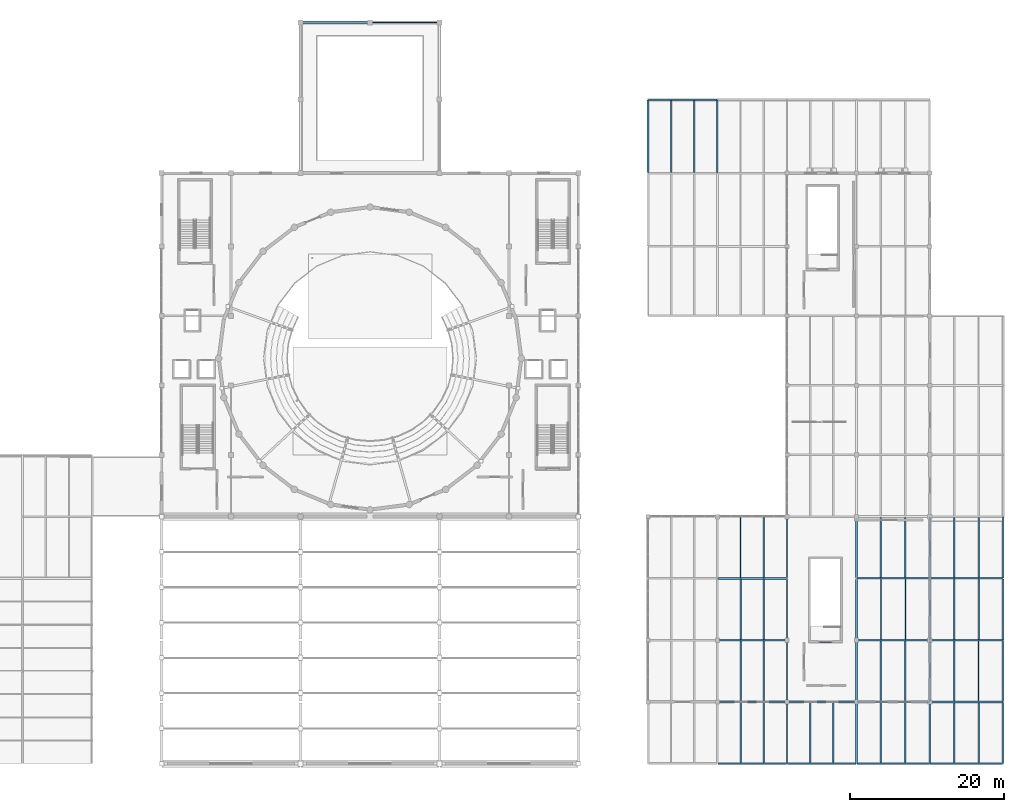
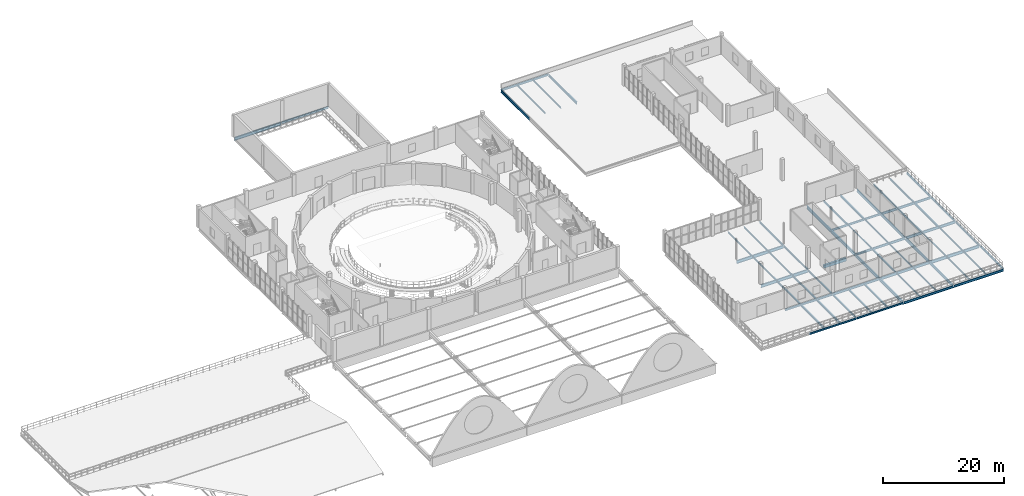
# One storey, part 27 of 54: 64 beams.
"""IFC4 building model written with IfcOpenShell, lengths in metres."""

from ifc_helpers import new_model, si_unit, direction, frame, origin, origin_2d, place, context, subcontext, project, spatial, rectangle, i_section, extrude, material, material_profile, profile_set, type_object, element, save


model = new_model("IFC4")

# Units and contexts
model_context = context("Model", 3, precision=1e-05, world=origin(), true_north=direction((0.0, 1.0)))
body_context = subcontext(model_context, "Body", "Model", "MODEL_VIEW")
ifc_project = project(units=[si_unit("LENGTHUNIT", "METRE"), si_unit("AREAUNIT", "SQUARE_METRE"), si_unit("VOLUMEUNIT", "CUBIC_METRE"), si_unit("PLANEANGLEUNIT", "RADIAN"), si_unit("MASSUNIT", "GRAM", prefix="KILO")], contexts=[model_context])

# Site, building, storey
site_placement = place(None, origin())
site = spatial("IfcSite", under=ifc_project, at=site_placement, CompositionType="ELEMENT")
building_placement = place(site_placement, origin())
building = spatial("IfcBuilding", under=site, at=building_placement, Name="Marnock Terrace Opera House", CompositionType="ELEMENT")
storey_placement = place(building_placement, frame((0.0, 0.0, 19.199951171875)))
storey = spatial("IfcBuildingStorey", under=building, at=storey_placement, Name="L04", CompositionType="ELEMENT", Elevation=19.199951171875)

# Beams
ifc_material_1 = material(Name="Steel Grade 350 (AS/NZS 3679.1)", Category="steel")
ifc_material_profile_1 = material_profile(ifc_material_1, i_section(OverallWidth=0.1708984375, OverallDepth=0.355712890625, WebThickness=0.00732421875, FlangeThickness=0.011474609375, FilletRadius=0.011474609375, at=origin_2d()))
ifc_profile_set_1 = profile_set([ifc_material_profile_1], Name="Steel Grade 350 (AS/NZS 3679.1)")
beam_type_1 = type_object("IfcBeamType", Name="BM-GIRD-360", PredefinedType="BEAM", material=ifc_profile_set_1)
for number, where, z_axis, x_axis, name in (
    (1, (136.0, 8.050048828125, -0.44775390625), (0.0, 1.0, 0.0), (-1.0, 0.0, 0.0), "L04 girder (X=136.0, 8.0..16.0)"),
    (2, (136.0, 16.050048828125, -0.44775390625), (0.0, 1.0, 0.0), (-1.0, 0.0, 0.0), "L04 girder (X=136.0, 16.0..24.0)"),
    (3, (136.0, 24.050048828125, -0.427734375), (0.0, 1.0, 0.0), (-1.0, 0.0, 0.0), "L04 girder (X=136.0, 24.0..32.0)"),
    (4, (136.0, 32.050048828125, -0.427734375), (0.0, 1.0, 0.0), (-1.0, 0.0, 0.0), "L04 girder (X=136.0, 32.0..40.0)"),
):
    element("IfcBeam", number, at=place(storey_placement, frame(where, z_axis=z_axis, x_axis=x_axis)), inside=storey, type_object=beam_type_1, Name=name, PredefinedType="BEAM", context=body_context, shape_type="SweptSolid", body=[
        extrude(i_section(OverallWidth=0.1708984375, OverallDepth=0.355712890625, WebThickness=0.00732421875, FlangeThickness=0.011474609375, FilletRadius=0.011474609375, at=origin_2d()), origin(), (0.0, 0.0, 1.0), 7.89990234375),
    ])
ifc_material_profile_2 = material_profile(ifc_material_1, i_section(OverallWidth=0.177978515625, OverallDepth=0.402587890625, WebThickness=0.007568359375, FlangeThickness=0.010986328125, FilletRadius=0.011474609375, at=origin_2d()))
ifc_profile_set_2 = profile_set([ifc_material_profile_2], Name="Steel Grade 350 (AS/NZS 3679.1)")
beam_type_2 = type_object("IfcBeamType", Name="BM-GIRD-410", PredefinedType="BEAM", material=ifc_profile_set_2)
beam_1_placement = place(storey_placement, frame((127.050048828125, 16.0, -0.47119140625), z_axis=(1.0, 0.0, 0.0), x_axis=(0.0, 1.0, 0.0)))
element("IfcBeam", 5, at=beam_1_placement, inside=storey, type_object=beam_type_2, Name="L04 girder (127.0..136.0, Y=16.0)", PredefinedType="BEAM", context=body_context, shape_type="SweptSolid", body=[
    extrude(i_section(OverallWidth=0.177978515625, OverallDepth=0.402587890625, WebThickness=0.007568359375, FlangeThickness=0.010986328125, FilletRadius=0.011474609375, at=origin_2d()), origin(), (0.0, 0.0, 1.0), 8.89990234375),
])
beam_2_placement = place(storey_placement, frame((145.050048828125, 32.0, -0.47119140625), z_axis=(1.0, 0.0, 0.0), x_axis=(0.0, 1.0, 0.0)))
element("IfcBeam", 6, at=beam_2_placement, inside=storey, type_object=beam_type_2, Name="L04 girder (145.0..154.5, Y=32.0)", PredefinedType="BEAM", context=body_context, shape_type="SweptSolid", body=[
    extrude(i_section(OverallWidth=0.177978515625, OverallDepth=0.402587890625, WebThickness=0.007568359375, FlangeThickness=0.010986328125, FilletRadius=0.011474609375, at=origin_2d()), origin(), (0.0, 0.0, 1.0), 9.39990234375),
])
for number, where, z_axis, x_axis, name in (
    (7, (118.050048828125, 94.0, -0.421142578125), (1.0, 0.0, 0.0), (0.0, 1.0, 0.0), "L04 girder (118.0..127.0, Y=94.0)"),
    (8, (82.050048828125, 104.0, -0.451171875), (1.0, 0.0, 0.0), (0.0, 1.0, 0.0), "L04 girder (82.0..91.0, Y=104.0)"),
):
    element("IfcBeam", number, at=place(storey_placement, frame(where, z_axis=z_axis, x_axis=x_axis)), inside=storey, type_object=beam_type_2, Name=name, PredefinedType="BEAM", context=body_context, shape_type="SweptSolid", body=[
        extrude(i_section(OverallWidth=0.177978515625, OverallDepth=0.402587890625, WebThickness=0.007568359375, FlangeThickness=0.010986328125, FilletRadius=0.011474609375, at=origin_2d()), origin(), (0.0, 0.0, 1.0), 8.89990234375),
    ])
ifc_material_profile_3 = material_profile(ifc_material_1, i_section(OverallWidth=0.19091796875, OverallDepth=0.46044921875, WebThickness=0.010009765625, FlangeThickness=0.01611328125, FilletRadius=0.011474609375, at=origin_2d()))
ifc_profile_set_3 = profile_set([ifc_material_profile_3], Name="Steel Grade 350 (AS/NZS 3679.1)")
beam_type_3 = type_object("IfcBeamType", Name="BM-GIRD-460A", PredefinedType="BEAM", material=ifc_profile_set_3)
beam_3_placement = place(storey_placement, frame((136.050048828125, 16.0, -0.500244140625), z_axis=(1.0, 0.0, 0.0), x_axis=(0.0, 1.0, 0.0)))
element("IfcBeam", 9, at=beam_3_placement, inside=storey, type_object=beam_type_3, Name="L04 girder (136.0..145.0, Y=16.0)", PredefinedType="BEAM", context=body_context, shape_type="SweptSolid", body=[
    extrude(i_section(OverallWidth=0.19091796875, OverallDepth=0.46044921875, WebThickness=0.010009765625, FlangeThickness=0.01611328125, FilletRadius=0.011474609375, at=origin_2d()), origin(), (0.0, 0.0, 1.0), 8.89990234375),
])
for number, where, z_axis, x_axis, name in (
    (10, (145.050048828125, 24.0, -0.500244140625), (1.0, 0.0, 0.0), (0.0, 1.0, 0.0), "L04 girder (145.0..154.5, Y=24.0)"),
    (11, (154.550048828125, 32.0, -0.500244140625), (1.0, 0.0, 0.0), (0.0, 1.0, 0.0), "L04 girder (154.5..164.0, Y=32.0)"),
):
    element("IfcBeam", number, at=place(storey_placement, frame(where, z_axis=z_axis, x_axis=x_axis)), inside=storey, type_object=beam_type_3, Name=name, PredefinedType="BEAM", context=body_context, shape_type="SweptSolid", body=[
        extrude(i_section(OverallWidth=0.19091796875, OverallDepth=0.46044921875, WebThickness=0.010009765625, FlangeThickness=0.01611328125, FilletRadius=0.011474609375, at=origin_2d()), origin(), (0.0, 0.0, 1.0), 9.39990234375),
    ])
ifc_material_profile_4 = material_profile(ifc_material_1, i_section(OverallWidth=0.18994140625, OverallDepth=0.45751953125, WebThickness=0.009033203125, FlangeThickness=0.014404296875, FilletRadius=0.011474609375, at=origin_2d()))
ifc_profile_set_4 = profile_set([ifc_material_profile_4], Name="Steel Grade 350 (AS/NZS 3679.1)")
beam_type_4 = type_object("IfcBeamType", Name="BM-GIRD-460B", PredefinedType="BEAM", material=ifc_profile_set_4)
beam_4_placement = place(storey_placement, frame((127.0, 84.550048828125, -0.44873046875), z_axis=(0.0, 1.0, 0.0), x_axis=(-1.0, 0.0, 0.0)))
element("IfcBeam", 12, at=beam_4_placement, inside=storey, type_object=beam_type_4, Name="L04 girder (X=127.0, 84.5..94.0)", PredefinedType="BEAM", context=body_context, shape_type="SweptSolid", body=[
    extrude(i_section(OverallWidth=0.18994140625, OverallDepth=0.45751953125, WebThickness=0.009033203125, FlangeThickness=0.014404296875, FilletRadius=0.011474609375, at=origin_2d()), origin(), (0.0, 0.0, 1.0), 9.39990234375),
])
ifc_material_profile_5 = material_profile(ifc_material_1, i_section(OverallWidth=0.208984375, OverallDepth=0.532958984375, WebThickness=0.01025390625, FlangeThickness=0.015625, FilletRadius=0.013916015625, at=origin_2d()))
ifc_profile_set_5 = profile_set([ifc_material_profile_5], Name="Steel Grade 350 (AS/NZS 3679.1)")
beam_type_5 = type_object("IfcBeamType", Name="BM-GIRD-530A", PredefinedType="BEAM", material=ifc_profile_set_5)
for number, where, z_axis, x_axis, name in (
    (13, (145.050048828125, 16.0, -0.536376953125), (1.0, 0.0, 0.0), (0.0, 1.0, 0.0), "L04 girder (145.0..154.5, Y=16.0)"),
    (14, (154.550048828125, 24.0, -0.536376953125), (1.0, 0.0, 0.0), (0.0, 1.0, 0.0), "L04 girder (154.5..164.0, Y=24.0)"),
):
    element("IfcBeam", number, at=place(storey_placement, frame(where, z_axis=z_axis, x_axis=x_axis)), inside=storey, type_object=beam_type_5, Name=name, PredefinedType="BEAM", context=body_context, shape_type="SweptSolid", body=[
        extrude(i_section(OverallWidth=0.208984375, OverallDepth=0.532958984375, WebThickness=0.01025390625, FlangeThickness=0.015625, FilletRadius=0.013916015625, at=origin_2d()), origin(), (0.0, 0.0, 1.0), 9.39990234375),
    ])
ifc_material_profile_6 = material_profile(ifc_material_1, i_section(OverallWidth=0.208984375, OverallDepth=0.528076171875, WebThickness=0.009521484375, FlangeThickness=0.01318359375, FilletRadius=0.013916015625, at=origin_2d()))
ifc_profile_set_6 = profile_set([ifc_material_profile_6], Name="Steel Grade 350 (AS/NZS 3679.1)")
beam_type_6 = type_object("IfcBeamType", Name="BM-GIRD-530B", PredefinedType="BEAM", material=ifc_profile_set_6)
beam_5_placement = place(storey_placement, frame((118.0, 84.550048828125, -0.48388671875), z_axis=(0.0, 1.0, 0.0), x_axis=(-1.0, 0.0, 0.0)))
element("IfcBeam", 15, at=beam_5_placement, inside=storey, type_object=beam_type_6, Name="L04 girder (X=118.0, 84.5..94.0)", PredefinedType="BEAM", context=body_context, shape_type="SweptSolid", body=[
    extrude(i_section(OverallWidth=0.208984375, OverallDepth=0.528076171875, WebThickness=0.009521484375, FlangeThickness=0.01318359375, FilletRadius=0.013916015625, at=origin_2d()), origin(), (0.0, 0.0, 1.0), 9.39990234375),
])
for number, where, z_axis, x_axis, name in (
    (16, (154.5, 8.050048828125, -0.533935546875), (0.0, 1.0, 0.0), (-1.0, 0.0, 0.0), "L04 girder (X=154.5, 8.0..16.0)"),
    (17, (154.5, 16.050048828125, -0.533935546875), (0.0, 1.0, 0.0), (-1.0, 0.0, 0.0), "L04 girder (X=154.5, 16.0..24.0)"),
    (18, (154.5, 24.050048828125, -0.533935546875), (0.0, 1.0, 0.0), (-1.0, 0.0, 0.0), "L04 girder (X=154.5, 24.0..32.0)"),
    (19, (154.5, 32.050048828125, -0.533935546875), (0.0, 1.0, 0.0), (-1.0, 0.0, 0.0), "L04 girder (X=154.5, 32.0..40.0)"),
):
    element("IfcBeam", number, at=place(storey_placement, frame(where, z_axis=z_axis, x_axis=x_axis)), inside=storey, type_object=beam_type_6, Name=name, PredefinedType="BEAM", context=body_context, shape_type="SweptSolid", body=[
        extrude(i_section(OverallWidth=0.208984375, OverallDepth=0.528076171875, WebThickness=0.009521484375, FlangeThickness=0.01318359375, FilletRadius=0.013916015625, at=origin_2d()), origin(), (0.0, 0.0, 1.0), 7.89990234375),
    ])
ifc_material_profile_7 = material_profile(ifc_material_1, i_section(OverallWidth=0.22900390625, OverallDepth=0.611572265625, WebThickness=0.011962890625, FlangeThickness=0.01953125, FilletRadius=0.013916015625, at=origin_2d()))
ifc_profile_set_7 = profile_set([ifc_material_profile_7], Name="Steel Grade 350 (AS/NZS 3679.1)")
beam_type_7 = type_object("IfcBeamType", Name="BM-GIRD-610A", PredefinedType="BEAM", material=ifc_profile_set_7)
for number, where, z_axis, x_axis, name in (
    (20, (127.050048828125, 24.0, -0.5556640625), (1.0, 0.0, 0.0), (0.0, 1.0, 0.0), "L04 girder (127.0..136.0, Y=24.0)"),
    (21, (73.050048828125, 104.0, -0.5556640625), (1.0, 0.0, 0.0), (0.0, 1.0, 0.0), "L04 girder (73.0..82.0, Y=104.0)"),
):
    element("IfcBeam", number, at=place(storey_placement, frame(where, z_axis=z_axis, x_axis=x_axis)), inside=storey, type_object=beam_type_7, Name=name, PredefinedType="BEAM", context=body_context, shape_type="SweptSolid", body=[
        extrude(i_section(OverallWidth=0.22900390625, OverallDepth=0.611572265625, WebThickness=0.011962890625, FlangeThickness=0.01953125, FilletRadius=0.013916015625, at=origin_2d()), origin(), (0.0, 0.0, 1.0), 8.89990234375),
    ])
ifc_material_profile_8 = material_profile(ifc_material_1, i_section(OverallWidth=0.22802734375, OverallDepth=0.60693359375, WebThickness=0.01123046875, FlangeThickness=0.017333984375, FilletRadius=0.013916015625, at=origin_2d()))
ifc_profile_set_8 = profile_set([ifc_material_profile_8], Name="Steel Grade 350 (AS/NZS 3679.1)")
beam_type_8 = type_object("IfcBeamType", Name="BM-GIRD-610B", PredefinedType="BEAM", material=ifc_profile_set_8)
beam_6_placement = place(storey_placement, frame((154.550048828125, 16.0, -0.573486328125), z_axis=(1.0, 0.0, 0.0), x_axis=(0.0, 1.0, 0.0)))
element("IfcBeam", 22, at=beam_6_placement, inside=storey, type_object=beam_type_8, Name="L04 girder (154.5..164.0, Y=16.0)", PredefinedType="BEAM", context=body_context, shape_type="SweptSolid", body=[
    extrude(i_section(OverallWidth=0.22802734375, OverallDepth=0.60693359375, WebThickness=0.01123046875, FlangeThickness=0.017333984375, FilletRadius=0.013916015625, at=origin_2d()), origin(), (0.0, 0.0, 1.0), 9.39990234375),
])
beam_7_placement = place(storey_placement, frame((127.050048828125, 32.0, -0.553466796875), z_axis=(1.0, 0.0, 0.0), x_axis=(0.0, 1.0, 0.0)))
element("IfcBeam", 23, at=beam_7_placement, inside=storey, type_object=beam_type_8, Name="L04 girder (127.0..136.0, Y=32.0)", PredefinedType="BEAM", context=body_context, shape_type="SweptSolid", body=[
    extrude(i_section(OverallWidth=0.22802734375, OverallDepth=0.60693359375, WebThickness=0.01123046875, FlangeThickness=0.017333984375, FilletRadius=0.013916015625, at=origin_2d()), origin(), (0.0, 0.0, 1.0), 8.89990234375),
])
ifc_material_profile_9 = material_profile(ifc_material_1, i_section(OverallWidth=0.22802734375, OverallDepth=0.60205078125, WebThickness=0.010498046875, FlangeThickness=0.014892578125, FilletRadius=0.013916015625, at=origin_2d()))
ifc_profile_set_9 = profile_set([ifc_material_profile_9], Name="Steel Grade 350 (AS/NZS 3679.1)")
beam_type_9 = type_object("IfcBeamType", Name="BM-GIRD-610C", PredefinedType="BEAM", material=ifc_profile_set_9)
for number, where, z_axis, x_axis, name in (
    (24, (145.0, 8.050048828125, -0.571044921875), (0.0, 1.0, 0.0), (-1.0, 0.0, 0.0), "L04 girder (X=145.0, 8.0..16.0)"),
    (25, (145.0, 16.050048828125, -0.571044921875), (0.0, 1.0, 0.0), (-1.0, 0.0, 0.0), "L04 girder (X=145.0, 16.0..24.0)"),
    (26, (145.0, 24.050048828125, -0.551025390625), (0.0, 1.0, 0.0), (-1.0, 0.0, 0.0), "L04 girder (X=145.0, 24.0..32.0)"),
    (27, (145.0, 32.050048828125, -0.551025390625), (0.0, 1.0, 0.0), (-1.0, 0.0, 0.0), "L04 girder (X=145.0, 32.0..40.0)"),
):
    element("IfcBeam", number, at=place(storey_placement, frame(where, z_axis=z_axis, x_axis=x_axis)), inside=storey, type_object=beam_type_9, Name=name, PredefinedType="BEAM", context=body_context, shape_type="SweptSolid", body=[
        extrude(i_section(OverallWidth=0.22802734375, OverallDepth=0.60205078125, WebThickness=0.010498046875, FlangeThickness=0.014892578125, FilletRadius=0.013916015625, at=origin_2d()), origin(), (0.0, 0.0, 1.0), 7.89990234375),
    ])
ifc_material_profile_10 = material_profile(ifc_material_1, i_section(OverallWidth=0.14599609375, OverallDepth=0.256103515625, WebThickness=0.00634765625, FlangeThickness=0.010986328125, FilletRadius=0.0087890625, at=origin_2d()))
ifc_profile_set_10 = profile_set([ifc_material_profile_10], Name="Steel Grade 350 (AS/NZS 3679.1)")
beam_type_10 = type_object("IfcBeamType", Name="BM-JOIST-250", PredefinedType="JOIST", material=ifc_profile_set_10)
for number, where, z_axis, x_axis, name in (
    (28, (148.166748046875, 24.090576171875, -0.3779296875), (0.0, 1.0, 0.0), (-1.0, 0.0, 0.0), "L04 secondary joist 16.3.1"),
    (29, (151.333251953125, 24.090576171875, -0.3779296875), (0.0, 1.0, 0.0), (-1.0, 0.0, 0.0), "L04 secondary joist 16.3.2"),
):
    element("IfcBeam", number, at=place(storey_placement, frame(where, z_axis=z_axis, x_axis=x_axis)), inside=storey, type_object=beam_type_10, Name=name, PredefinedType="JOIST", context=body_context, shape_type="SweptSolid", body=[
        extrude(i_section(OverallWidth=0.14599609375, OverallDepth=0.256103515625, WebThickness=0.00634765625, FlangeThickness=0.010986328125, FilletRadius=0.0087890625, at=origin_2d()), origin(), (0.0, 0.0, 1.0), 7.825439453125),
    ])
for number, where, z_axis, x_axis, name in (
    (30, (157.666748046875, 16.10888671875, -0.39794921875), (0.0, 1.0, 0.0), (-1.0, 0.0, 0.0), "L04 secondary joist 17.2.1"),
    (31, (160.833251953125, 16.10888671875, -0.39794921875), (0.0, 1.0, 0.0), (-1.0, 0.0, 0.0), "L04 secondary joist 17.2.2"),
):
    element("IfcBeam", number, at=place(storey_placement, frame(where, z_axis=z_axis, x_axis=x_axis)), inside=storey, type_object=beam_type_10, Name=name, PredefinedType="JOIST", context=body_context, shape_type="SweptSolid", body=[
        extrude(i_section(OverallWidth=0.14599609375, OverallDepth=0.256103515625, WebThickness=0.00634765625, FlangeThickness=0.010986328125, FilletRadius=0.0087890625, at=origin_2d()), origin(), (0.0, 0.0, 1.0), 7.79150390625),
    ])
ifc_material_profile_11 = material_profile(ifc_material_1, i_section(OverallWidth=0.166015625, OverallDepth=0.30712890625, WebThickness=0.006591796875, FlangeThickness=0.01171875, FilletRadius=0.011474609375, at=origin_2d()))
ifc_profile_set_11 = profile_set([ifc_material_profile_11], Name="Steel Grade 350 (AS/NZS 3679.1)")
beam_type_11 = type_object("IfcBeamType", Name="BM-JOIST-310A", PredefinedType="JOIST", material=ifc_profile_set_11)
for number, where, z_axis, x_axis, name in (
    (32, (130.0, 24.109619140625, -0.403564453125), (0.0, 1.0, 0.0), (-1.0, 0.0, 0.0), "L04 secondary joist 14.3.1"),
    (33, (133.0, 24.109619140625, -0.403564453125), (0.0, 1.0, 0.0), (-1.0, 0.0, 0.0), "L04 secondary joist 14.3.2"),
):
    element("IfcBeam", number, at=place(storey_placement, frame(where, z_axis=z_axis, x_axis=x_axis)), inside=storey, type_object=beam_type_11, Name=name, PredefinedType="JOIST", context=body_context, shape_type="SweptSolid", body=[
        extrude(i_section(OverallWidth=0.166015625, OverallDepth=0.30712890625, WebThickness=0.006591796875, FlangeThickness=0.01171875, FilletRadius=0.011474609375, at=origin_2d()), origin(), (0.0, 0.0, 1.0), 7.781494140625),
    ])
for number, where, z_axis, x_axis, name in (
    (34, (148.166748046875, 8.090576171875, -0.423583984375), (0.0, 1.0, 0.0), (-1.0, 0.0, 0.0), "L04 secondary joist 16.1.1"),
    (35, (151.333251953125, 8.090576171875, -0.423583984375), (0.0, 1.0, 0.0), (-1.0, 0.0, 0.0), "L04 secondary joist 16.1.2"),
):
    element("IfcBeam", number, at=place(storey_placement, frame(where, z_axis=z_axis, x_axis=x_axis)), inside=storey, type_object=beam_type_11, Name=name, PredefinedType="JOIST", context=body_context, shape_type="SweptSolid", body=[
        extrude(i_section(OverallWidth=0.166015625, OverallDepth=0.30712890625, WebThickness=0.006591796875, FlangeThickness=0.01171875, FilletRadius=0.011474609375, at=origin_2d()), origin(), (0.0, 0.0, 1.0), 7.809814453125),
    ])
ifc_material_profile_12 = material_profile(ifc_material_1, i_section(OverallWidth=0.1650390625, OverallDepth=0.3037109375, WebThickness=0.006103515625, FlangeThickness=0.01025390625, FilletRadius=0.011474609375, at=origin_2d()))
ifc_profile_set_12 = profile_set([ifc_material_profile_12], Name="Steel Grade 350 (AS/NZS 3679.1)")
beam_type_12 = type_object("IfcBeamType", Name="BM-JOIST-310B", PredefinedType="JOIST", material=ifc_profile_set_12)
for number, where, z_axis, x_axis, name in (
    (36, (121.0, 84.590576171875, -0.371826171875), (0.0, 1.0, 0.0), (-1.0, 0.0, 0.0), "L04 secondary joist 13.10.1"),
    (37, (124.0, 84.590576171875, -0.371826171875), (0.0, 1.0, 0.0), (-1.0, 0.0, 0.0), "L04 secondary joist 13.10.2"),
):
    element("IfcBeam", number, at=place(storey_placement, frame(where, z_axis=z_axis, x_axis=x_axis)), inside=storey, type_object=beam_type_12, Name=name, PredefinedType="JOIST", context=body_context, shape_type="SweptSolid", body=[
        extrude(i_section(OverallWidth=0.1650390625, OverallDepth=0.3037109375, WebThickness=0.006103515625, FlangeThickness=0.01025390625, FilletRadius=0.011474609375, at=origin_2d()), origin(), (0.0, 0.0, 1.0), 9.325439453125),
    ])
for number, where, z_axis, x_axis, name in (
    (38, (130.0, 32.10888671875, -0.40185546875), (0.0, 1.0, 0.0), (-1.0, 0.0, 0.0), "L04 secondary joist 14.4.1"),
    (39, (133.0, 32.10888671875, -0.40185546875), (0.0, 1.0, 0.0), (-1.0, 0.0, 0.0), "L04 secondary joist 14.4.2"),
):
    element("IfcBeam", number, at=place(storey_placement, frame(where, z_axis=z_axis, x_axis=x_axis)), inside=storey, type_object=beam_type_12, Name=name, PredefinedType="JOIST", context=body_context, shape_type="SweptSolid", body=[
        extrude(i_section(OverallWidth=0.1650390625, OverallDepth=0.3037109375, WebThickness=0.006103515625, FlangeThickness=0.01025390625, FilletRadius=0.011474609375, at=origin_2d()), origin(), (0.0, 0.0, 1.0), 7.79150390625),
    ])
for number, where, z_axis, x_axis, name in (
    (40, (148.166748046875, 16.099609375, -0.421875), (0.0, 1.0, 0.0), (-1.0, 0.0, 0.0), "L04 secondary joist 16.2.1"),
    (41, (151.333251953125, 16.099609375, -0.421875), (0.0, 1.0, 0.0), (-1.0, 0.0, 0.0), "L04 secondary joist 16.2.2"),
):
    element("IfcBeam", number, at=place(storey_placement, frame(where, z_axis=z_axis, x_axis=x_axis)), inside=storey, type_object=beam_type_12, Name=name, PredefinedType="JOIST", context=body_context, shape_type="SweptSolid", body=[
        extrude(i_section(OverallWidth=0.1650390625, OverallDepth=0.3037109375, WebThickness=0.006103515625, FlangeThickness=0.01025390625, FilletRadius=0.011474609375, at=origin_2d()), origin(), (0.0, 0.0, 1.0), 7.809814453125),
    ])
for number, where, z_axis, x_axis, name in (
    (42, (157.666748046875, 8.090576171875, -0.421875), (0.0, 1.0, 0.0), (-1.0, 0.0, 0.0), "L04 secondary joist 17.1.1"),
    (43, (160.833251953125, 8.090576171875, -0.421875), (0.0, 1.0, 0.0), (-1.0, 0.0, 0.0), "L04 secondary joist 17.1.2"),
):
    element("IfcBeam", number, at=place(storey_placement, frame(where, z_axis=z_axis, x_axis=x_axis)), inside=storey, type_object=beam_type_12, Name=name, PredefinedType="JOIST", context=body_context, shape_type="SweptSolid", body=[
        extrude(i_section(OverallWidth=0.1650390625, OverallDepth=0.3037109375, WebThickness=0.006103515625, FlangeThickness=0.01025390625, FilletRadius=0.011474609375, at=origin_2d()), origin(), (0.0, 0.0, 1.0), 7.800537109375),
    ])
ifc_material_profile_13 = material_profile(ifc_material_1, i_section(OverallWidth=0.172119140625, OverallDepth=0.358642578125, WebThickness=0.008056640625, FlangeThickness=0.012939453125, FilletRadius=0.011474609375, at=origin_2d()))
ifc_profile_set_13 = profile_set([ifc_material_profile_13], Name="Steel Grade 350 (AS/NZS 3679.1)")
beam_type_13 = type_object("IfcBeamType", Name="BM-JOIST-360", PredefinedType="JOIST", material=ifc_profile_set_13)
for number, where, z_axis, x_axis, name in (
    (44, (130.0, 16.083984375, -0.44921875), (0.0, 1.0, 0.0), (-1.0, 0.0, 0.0), "L04 secondary joist 14.2.1"),
    (45, (133.0, 16.083984375, -0.44921875), (0.0, 1.0, 0.0), (-1.0, 0.0, 0.0), "L04 secondary joist 14.2.2"),
):
    element("IfcBeam", number, at=place(storey_placement, frame(where, z_axis=z_axis, x_axis=x_axis)), inside=storey, type_object=beam_type_13, Name=name, PredefinedType="JOIST", context=body_context, shape_type="SweptSolid", body=[
        extrude(i_section(OverallWidth=0.172119140625, OverallDepth=0.358642578125, WebThickness=0.008056640625, FlangeThickness=0.012939453125, FilletRadius=0.011474609375, at=origin_2d()), origin(), (0.0, 0.0, 1.0), 7.806396484375),
    ])
for number, where, z_axis, x_axis, name in (
    (46, (139.0, 8.0810546875, -0.44921875), (0.0, 1.0, 0.0), (-1.0, 0.0, 0.0), "L04 secondary joist 15.1.1"),
    (47, (142.0, 8.0810546875, -0.44921875), (0.0, 1.0, 0.0), (-1.0, 0.0, 0.0), "L04 secondary joist 15.1.2"),
):
    element("IfcBeam", number, at=place(storey_placement, frame(where, z_axis=z_axis, x_axis=x_axis)), inside=storey, type_object=beam_type_13, Name=name, PredefinedType="JOIST", context=body_context, shape_type="SweptSolid", body=[
        extrude(i_section(OverallWidth=0.172119140625, OverallDepth=0.358642578125, WebThickness=0.008056640625, FlangeThickness=0.012939453125, FilletRadius=0.011474609375, at=origin_2d()), origin(), (0.0, 0.0, 1.0), 7.828369140625),
    ])
for number, where, z_axis, x_axis, name in (
    (48, (157.666748046875, 32.090576171875, -0.44921875), (0.0, 1.0, 0.0), (-1.0, 0.0, 0.0), "L04 secondary joist 17.4.1"),
    (49, (160.833251953125, 32.090576171875, -0.44921875), (0.0, 1.0, 0.0), (-1.0, 0.0, 0.0), "L04 secondary joist 17.4.2"),
):
    element("IfcBeam", number, at=place(storey_placement, frame(where, z_axis=z_axis, x_axis=x_axis)), inside=storey, type_object=beam_type_13, Name=name, PredefinedType="JOIST", context=body_context, shape_type="SweptSolid", body=[
        extrude(i_section(OverallWidth=0.172119140625, OverallDepth=0.358642578125, WebThickness=0.008056640625, FlangeThickness=0.012939453125, FilletRadius=0.011474609375, at=origin_2d()), origin(), (0.0, 0.0, 1.0), 7.825439453125),
    ])
ifc_material_profile_14 = material_profile(ifc_material_1, i_section(OverallWidth=0.177978515625, OverallDepth=0.406494140625, WebThickness=0.0078125, FlangeThickness=0.0126953125, FilletRadius=0.011474609375, at=origin_2d()))
ifc_profile_set_14 = profile_set([ifc_material_profile_14], Name="Steel Grade 350 (AS/NZS 3679.1)")
beam_type_14 = type_object("IfcBeamType", Name="BM-JOIST-410", PredefinedType="JOIST", material=ifc_profile_set_14)
for number, where, z_axis, x_axis, name in (
    (50, (130.0, 8.0810546875, -0.47314453125), (0.0, 1.0, 0.0), (-1.0, 0.0, 0.0), "L04 secondary joist 14.1.1"),
    (51, (133.0, 8.0810546875, -0.47314453125), (0.0, 1.0, 0.0), (-1.0, 0.0, 0.0), "L04 secondary joist 14.1.2"),
):
    element("IfcBeam", number, at=place(storey_placement, frame(where, z_axis=z_axis, x_axis=x_axis)), inside=storey, type_object=beam_type_14, Name=name, PredefinedType="JOIST", context=body_context, shape_type="SweptSolid", body=[
        extrude(i_section(OverallWidth=0.177978515625, OverallDepth=0.406494140625, WebThickness=0.0078125, FlangeThickness=0.0126953125, FilletRadius=0.011474609375, at=origin_2d()), origin(), (0.0, 0.0, 1.0), 7.8349609375),
    ])
for number, where, z_axis, x_axis, name in (
    (52, (148.166748046875, 32.083984375, -0.453125), (0.0, 1.0, 0.0), (-1.0, 0.0, 0.0), "L04 secondary joist 16.4.1"),
    (53, (151.333251953125, 32.083984375, -0.453125), (0.0, 1.0, 0.0), (-1.0, 0.0, 0.0), "L04 secondary joist 16.4.2"),
):
    element("IfcBeam", number, at=place(storey_placement, frame(where, z_axis=z_axis, x_axis=x_axis)), inside=storey, type_object=beam_type_14, Name=name, PredefinedType="JOIST", context=body_context, shape_type="SweptSolid", body=[
        extrude(i_section(OverallWidth=0.177978515625, OverallDepth=0.406494140625, WebThickness=0.0078125, FlangeThickness=0.0126953125, FilletRadius=0.011474609375, at=origin_2d()), origin(), (0.0, 0.0, 1.0), 7.806396484375),
    ])
for number, where, z_axis, x_axis, name in (
    (54, (157.666748046875, 24.099609375, -0.47314453125), (0.0, 1.0, 0.0), (-1.0, 0.0, 0.0), "L04 secondary joist 17.3.1"),
    (55, (160.833251953125, 24.099609375, -0.47314453125), (0.0, 1.0, 0.0), (-1.0, 0.0, 0.0), "L04 secondary joist 17.3.2"),
):
    element("IfcBeam", number, at=place(storey_placement, frame(where, z_axis=z_axis, x_axis=x_axis)), inside=storey, type_object=beam_type_14, Name=name, PredefinedType="JOIST", context=body_context, shape_type="SweptSolid", body=[
        extrude(i_section(OverallWidth=0.177978515625, OverallDepth=0.406494140625, WebThickness=0.0078125, FlangeThickness=0.0126953125, FilletRadius=0.011474609375, at=origin_2d()), origin(), (0.0, 0.0, 1.0), 7.809814453125),
    ])
ifc_material_2 = material(Name="Concrete N40 (f'c = 40 MPa)", Category="concrete")
ifc_material_profile_15 = material_profile(ifc_material_2, rectangle(XDim=0.35009765625, YDim=0.60009765625, at=origin_2d()))
ifc_profile_set_15 = profile_set([ifc_material_profile_15], Name="Concrete N40 (f'c = 40 MPa)")
beam_type_15 = type_object("IfcBeamType", Name="BM-LINT-RC350", PredefinedType="LINTEL", material=ifc_profile_set_15)
beam_8_placement = place(storey_placement, frame((138.840087890625, 23.800048828125, -0.599853515625), z_axis=(1.0, 0.0, 0.0), x_axis=(0.0, 1.0, 0.0)))
element("IfcBeam", 56, at=beam_8_placement, inside=storey, type_object=beam_type_15, Name="L03 Core C6 coupling lintel", PredefinedType="LINTEL", context=body_context, shape_type="SweptSolid", body=[
    extrude(rectangle(XDim=0.35009765625, YDim=0.60009765625, at=origin_2d()), origin(), (0.0, 0.0, 1.0), 4.280029296875),
])
ifc_material_profile_16 = material_profile(ifc_material_1, i_section(OverallWidth=0.172119140625, OverallDepth=0.358642578125, WebThickness=0.008056640625, FlangeThickness=0.012939453125, FilletRadius=0.011474609375, at=origin_2d()))
ifc_profile_set_16 = profile_set([ifc_material_profile_16], Name="Steel Grade 350 (AS/NZS 3679.1)")
beam_type_16 = type_object("IfcBeamType", Name="BM-SPAN-360", PredefinedType="SPANDREL", material=ifc_profile_set_16)
for number, where, z_axis, x_axis, name in (
    (57, (127.050048828125, 8.0, -0.44921875), (1.0, 0.0, 0.0), (0.0, 1.0, 0.0), "L04 girder (127.0..136.0, Y=8.0)"),
    (58, (136.050048828125, 8.0, -0.44921875), (1.0, 0.0, 0.0), (0.0, 1.0, 0.0), "L04 girder (136.0..145.0, Y=8.0)"),
):
    element("IfcBeam", number, at=place(storey_placement, frame(where, z_axis=z_axis, x_axis=x_axis)), inside=storey, type_object=beam_type_16, Name=name, PredefinedType="SPANDREL", context=body_context, shape_type="SweptSolid", body=[
        extrude(i_section(OverallWidth=0.172119140625, OverallDepth=0.358642578125, WebThickness=0.008056640625, FlangeThickness=0.012939453125, FilletRadius=0.011474609375, at=origin_2d()), origin(), (0.0, 0.0, 1.0), 8.89990234375),
    ])
for number, where, z_axis, x_axis, name in (
    (59, (164.0, 8.050048828125, -0.44921875), (0.0, 1.0, 0.0), (-1.0, 0.0, 0.0), "L04 girder (X=164.0, 8.0..16.0)"),
    (60, (164.0, 16.050048828125, -0.44921875), (0.0, 1.0, 0.0), (-1.0, 0.0, 0.0), "L04 girder (X=164.0, 16.0..24.0)"),
    (61, (164.0, 24.050048828125, -0.44921875), (0.0, 1.0, 0.0), (-1.0, 0.0, 0.0), "L04 girder (X=164.0, 24.0..32.0)"),
    (62, (164.0, 32.050048828125, -0.44921875), (0.0, 1.0, 0.0), (-1.0, 0.0, 0.0), "L04 girder (X=164.0, 32.0..40.0)"),
):
    element("IfcBeam", number, at=place(storey_placement, frame(where, z_axis=z_axis, x_axis=x_axis)), inside=storey, type_object=beam_type_16, Name=name, PredefinedType="SPANDREL", context=body_context, shape_type="SweptSolid", body=[
        extrude(i_section(OverallWidth=0.172119140625, OverallDepth=0.358642578125, WebThickness=0.008056640625, FlangeThickness=0.012939453125, FilletRadius=0.011474609375, at=origin_2d()), origin(), (0.0, 0.0, 1.0), 7.89990234375),
    ])
ifc_material_profile_17 = material_profile(ifc_material_1, i_section(OverallWidth=0.19091796875, OverallDepth=0.46044921875, WebThickness=0.010009765625, FlangeThickness=0.01611328125, FilletRadius=0.011474609375, at=origin_2d()))
ifc_profile_set_17 = profile_set([ifc_material_profile_17], Name="Steel Grade 350 (AS/NZS 3679.1)")
beam_type_17 = type_object("IfcBeamType", Name="BM-SPAN-460", PredefinedType="SPANDREL", material=ifc_profile_set_17)
for number, where, z_axis, x_axis, name in (
    (63, (145.050048828125, 8.0, -0.500244140625), (1.0, 0.0, 0.0), (0.0, 1.0, 0.0), "L04 girder (145.0..154.5, Y=8.0)"),
    (64, (154.550048828125, 8.0, -0.500244140625), (1.0, 0.0, 0.0), (0.0, 1.0, 0.0), "L04 girder (154.5..164.0, Y=8.0)"),
):
    element("IfcBeam", number, at=place(storey_placement, frame(where, z_axis=z_axis, x_axis=x_axis)), inside=storey, type_object=beam_type_17, Name=name, PredefinedType="SPANDREL", context=body_context, shape_type="SweptSolid", body=[
        extrude(i_section(OverallWidth=0.19091796875, OverallDepth=0.46044921875, WebThickness=0.010009765625, FlangeThickness=0.01611328125, FilletRadius=0.011474609375, at=origin_2d()), origin(), (0.0, 0.0, 1.0), 9.39990234375),
    ])

save(model, "model.ifc")
